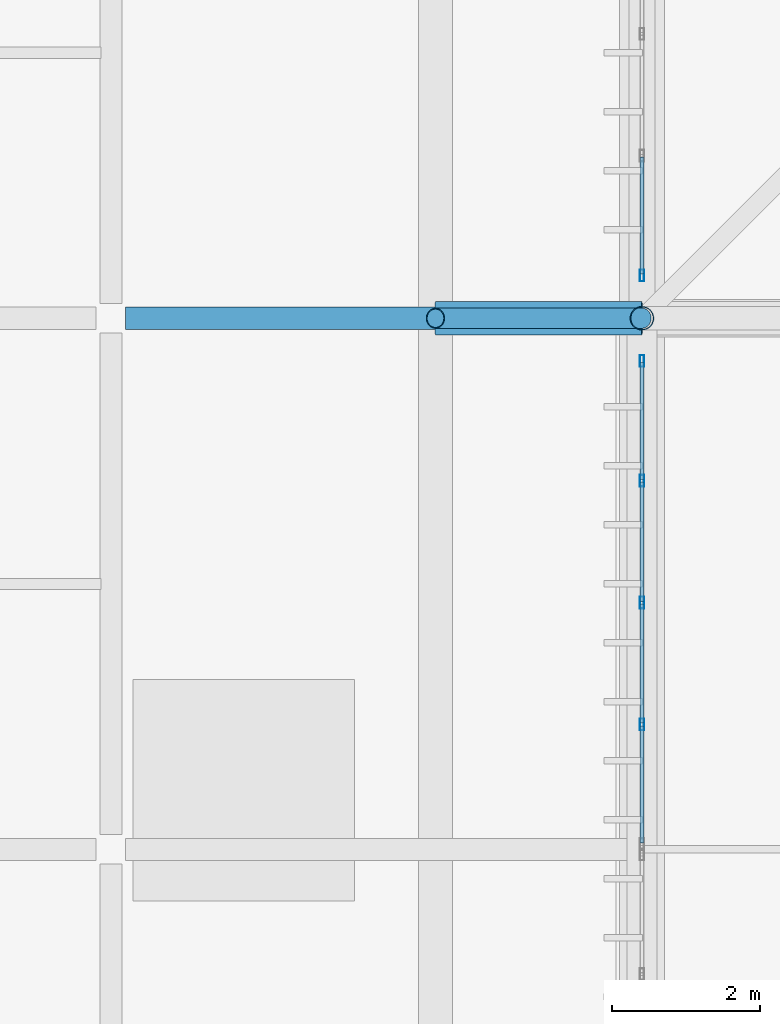
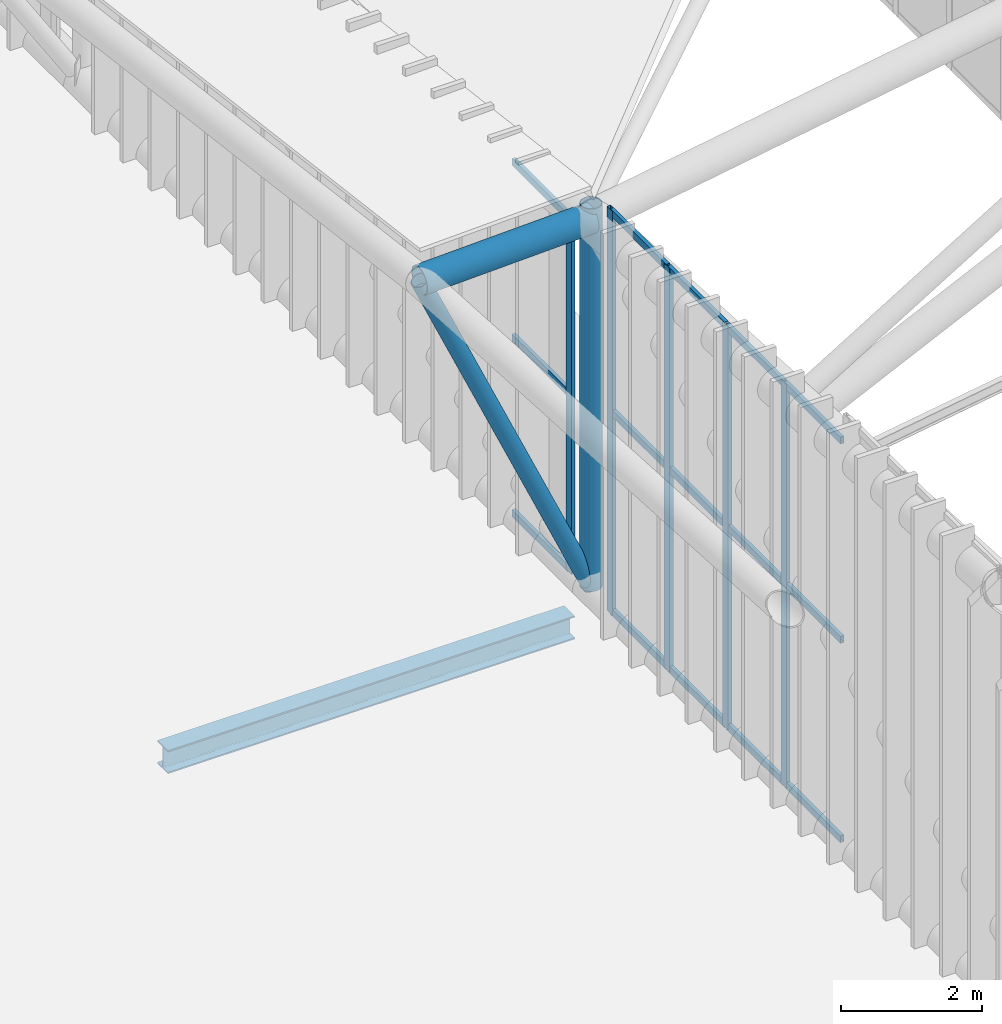
# One storey, part 191 of 397: 22 members, 2 beams, 2 elements without a shape of their own.
"""IFC4 building model written with IfcOpenShell, lengths in metres."""

from ifc_helpers import new_model, si_unit, direction, frame, origin, origin_2d, place, context, subcontext, project, spatial, hollow_rectangle, hollow_circle, i_section, extrude, material, material_profile, profile_set, type_object, element, aggregate, save


model = new_model("IFC4")

# Units and contexts
model_context = context("Model", 3, precision=1e-05, world=origin(), true_north=direction((0.0, 1.0)))
body_context = subcontext(model_context, "Body", "Model", "MODEL_VIEW")
ifc_project = project(units=[si_unit("LENGTHUNIT", "METRE"), si_unit("AREAUNIT", "SQUARE_METRE"), si_unit("VOLUMEUNIT", "CUBIC_METRE"), si_unit("PLANEANGLEUNIT", "RADIAN"), si_unit("MASSUNIT", "GRAM", prefix="KILO")], contexts=[model_context])

# Site, building, storey
site_placement = place(None, origin())
site = spatial("IfcSite", under=ifc_project, at=site_placement, CompositionType="ELEMENT")
building_placement = place(site_placement, origin())
building = spatial("IfcBuilding", under=site, at=building_placement, Name="Qandorah Velis Arena", CompositionType="ELEMENT")
storey_placement = place(building_placement, frame((0.0, 0.0, 27.5)))
storey = spatial("IfcBuildingStorey", under=building, at=storey_placement, Name="RF", CompositionType="ELEMENT", Elevation=27.5)

# Curtain wall, members
ifc_material_1 = material(Name="Solar-control low-E double glazing", Category="glass")
curtain_wall_type = type_object("IfcCurtainWallType", Name="ARC-CW-SYS06", PredefinedType="USERDEFINED", material=ifc_material_1)
curtain_wall_1_placement = place(storey_placement, origin())
curtain_wall_1 = element("IfcCurtainWall", 1, at=curtain_wall_1_placement, inside=storey, type_object=curtain_wall_type, Name="Unitised curtain wall CROWN-1-05S2", ObjectType="UNITISED CURTAIN WALL", PredefinedType="USERDEFINED")
ifc_material_2 = material(Name="Champagne-bronze anodized aluminium 6063-T6", Category="aluminium")
ifc_material_profile_1 = material_profile(ifc_material_2, hollow_rectangle(XDim=0.06005859375, YDim=0.159912109375, WallThickness=0.00341796875, at=origin_2d()), Name="ALU MULLION 60x160")
ifc_profile_set_1 = profile_set([ifc_material_profile_1], Name="Champagne-bronze anodized aluminium 6063-T6")
member_type_1 = type_object("IfcMemberType", Name="ARC-CWM-160", PredefinedType="MULLION", material=ifc_profile_set_1)
member_1_placement = place(storey_placement, frame((14.39990234375, 80.892578125, -0.014892578125), z_axis=(0.0, 0.0, 1.0), x_axis=(-1.0, 0.0, 0.0)))
member_1 = element("IfcMember", 2, at=member_1_placement, type_object=member_type_1, Name="CW06 mullion 2", PredefinedType="MULLION", context=body_context, shape_type="SweptSolid", body=[
    extrude(hollow_rectangle(XDim=0.06005859375, YDim=0.159912109375, WallThickness=0.00341796875, at=origin_2d()), origin(), (0.0, 0.0, 1.0), 6.9765625),
])
member_2_placement = place(storey_placement, frame((14.39990234375, 82.544921875, -0.014892578125), z_axis=(0.0, 0.0, 1.0), x_axis=(-1.0, 0.0, 0.0)))
member_2 = element("IfcMember", 3, at=member_2_placement, type_object=member_type_1, Name="CW06 mullion 3", PredefinedType="MULLION", context=body_context, shape_type="SweptSolid", body=[
    extrude(hollow_rectangle(XDim=0.06005859375, YDim=0.159912109375, WallThickness=0.00341796875, at=origin_2d()), origin(), (0.0, 0.0, 1.0), 6.9765625),
])
member_3_placement = place(storey_placement, frame((14.39990234375, 84.197509765625, -0.014892578125), z_axis=(0.0, 0.0, 1.0), x_axis=(-1.0, 0.0, 0.0)))
member_3 = element("IfcMember", 4, at=member_3_placement, type_object=member_type_1, Name="CW06 mullion 4", PredefinedType="MULLION", context=body_context, shape_type="SweptSolid", body=[
    extrude(hollow_rectangle(XDim=0.06005859375, YDim=0.159912109375, WallThickness=0.00341796875, at=origin_2d()), origin(), (0.0, 0.0, 1.0), 6.9765625),
])
member_4_placement = place(storey_placement, frame((14.39990234375, 85.820068359375, -0.014892578125), z_axis=(0.0, 0.0, 1.0), x_axis=(-1.0, 0.0, 0.0)))
member_4 = element("IfcMember", 5, at=member_4_placement, type_object=member_type_1, Name="CW06 mullion 5", PredefinedType="MULLION", context=body_context, shape_type="SweptSolid", body=[
    extrude(hollow_rectangle(XDim=0.06005859375, YDim=0.159912109375, WallThickness=0.00341796875, at=origin_2d()), origin(), (0.0, 0.0, 1.0), 6.9765625),
])

# Curtain wall, member
curtain_wall_2_placement = place(storey_placement, origin())
curtain_wall_2 = element("IfcCurtainWall", 6, at=curtain_wall_2_placement, inside=storey, type_object=curtain_wall_type, Name="Unitised curtain wall CROWN-1-06S1", ObjectType="UNITISED CURTAIN WALL", PredefinedType="USERDEFINED")
member_5_placement = place(storey_placement, frame((14.39990234375, 86.97998046875, -0.014892578125), z_axis=(0.0, 0.0, 1.0), x_axis=(-1.0, 0.0, 0.0)))
member_5 = element("IfcMember", 7, at=member_5_placement, type_object=member_type_1, Name="CW06 mullion 1", PredefinedType="MULLION", context=body_context, shape_type="SweptSolid", body=[
    extrude(hollow_rectangle(XDim=0.06005859375, YDim=0.159912109375, WallThickness=0.00341796875, at=origin_2d()), origin(), (0.0, 0.0, 1.0), 6.159423828125),
])

# Member
ifc_material_profile_2 = material_profile(ifc_material_2, hollow_rectangle(XDim=0.06005859375, YDim=0.1201171875, WallThickness=0.0029296875, at=origin_2d()), Name="ALU TRANSOM 60x120")
ifc_profile_set_2 = profile_set([ifc_material_profile_2], Name="Champagne-bronze anodized aluminium 6063-T6")
member_type_2 = type_object("IfcMemberType", Name="ARC-CWT-120", PredefinedType="USERDEFINED", material=ifc_profile_set_2)
member_6_placement = place(storey_placement, frame((14.39990234375, 79.2880859375, 0.030029296875), z_axis=(0.0, 1.0, 0.0), x_axis=(-1.0, 0.0, 0.0)))
member_6 = element("IfcMember", 8, at=member_6_placement, type_object=member_type_2, Name="CW06 transom 1.1", ObjectType="TRANSOM", PredefinedType="USERDEFINED", context=body_context, shape_type="SweptSolid", body=[
    extrude(hollow_rectangle(XDim=0.06005859375, YDim=0.1201171875, WallThickness=0.0029296875, at=origin_2d()), origin(), (0.0, 0.0, 1.0), 1.58642578125),
])

member_7_placement = place(storey_placement, frame((14.39990234375, 79.2880859375, 3.473388671875), z_axis=(0.0, 1.0, 0.0), x_axis=(-1.0, 0.0, 0.0)))
member_7 = element("IfcMember", 9, at=member_7_placement, type_object=member_type_2, Name="CW06 transom 1.2", ObjectType="TRANSOM", PredefinedType="USERDEFINED", context=body_context, shape_type="SweptSolid", body=[
    extrude(hollow_rectangle(XDim=0.06005859375, YDim=0.1201171875, WallThickness=0.0029296875, at=origin_2d()), origin(), (0.0, 0.0, 1.0), 1.58642578125),
])

member_8_placement = place(storey_placement, frame((14.39990234375, 79.2880859375, 6.916748046875), z_axis=(0.0, 1.0, 0.0), x_axis=(-1.0, 0.0, 0.0)))
member_8 = element("IfcMember", 10, at=member_8_placement, type_object=member_type_2, Name="CW06 transom 1.3", ObjectType="TRANSOM", PredefinedType="USERDEFINED", context=body_context, shape_type="SweptSolid", body=[
    extrude(hollow_rectangle(XDim=0.06005859375, YDim=0.1201171875, WallThickness=0.0029296875, at=origin_2d()), origin(), (0.0, 0.0, 1.0), 1.58642578125),
])

member_9_placement = place(storey_placement, frame((14.39990234375, 80.910400390625, 0.030029296875), z_axis=(0.0, 1.0, 0.0), x_axis=(-1.0, 0.0, 0.0)))
member_9 = element("IfcMember", 11, at=member_9_placement, type_object=member_type_2, Name="CW06 transom 2.1", ObjectType="TRANSOM", PredefinedType="USERDEFINED", context=body_context, shape_type="SweptSolid", body=[
    extrude(hollow_rectangle(XDim=0.06005859375, YDim=0.1201171875, WallThickness=0.0029296875, at=origin_2d()), origin(), (0.0, 0.0, 1.0), 1.61669921875),
])

member_10_placement = place(storey_placement, frame((14.39990234375, 80.910400390625, 3.473388671875), z_axis=(0.0, 1.0, 0.0), x_axis=(-1.0, 0.0, 0.0)))
member_10 = element("IfcMember", 12, at=member_10_placement, type_object=member_type_2, Name="CW06 transom 2.2", ObjectType="TRANSOM", PredefinedType="USERDEFINED", context=body_context, shape_type="SweptSolid", body=[
    extrude(hollow_rectangle(XDim=0.06005859375, YDim=0.1201171875, WallThickness=0.0029296875, at=origin_2d()), origin(), (0.0, 0.0, 1.0), 1.61669921875),
])

member_11_placement = place(storey_placement, frame((14.39990234375, 80.910400390625, 6.916748046875), z_axis=(0.0, 1.0, 0.0), x_axis=(-1.0, 0.0, 0.0)))
member_11 = element("IfcMember", 13, at=member_11_placement, type_object=member_type_2, Name="CW06 transom 2.3", ObjectType="TRANSOM", PredefinedType="USERDEFINED", context=body_context, shape_type="SweptSolid", body=[
    extrude(hollow_rectangle(XDim=0.06005859375, YDim=0.1201171875, WallThickness=0.0029296875, at=origin_2d()), origin(), (0.0, 0.0, 1.0), 1.61669921875),
])

member_12_placement = place(storey_placement, frame((14.39990234375, 82.56298828125, 0.030029296875), z_axis=(0.0, 1.0, 0.0), x_axis=(-1.0, 0.0, 0.0)))
member_12 = element("IfcMember", 14, at=member_12_placement, type_object=member_type_2, Name="CW06 transom 3.1", ObjectType="TRANSOM", PredefinedType="USERDEFINED", context=body_context, shape_type="SweptSolid", body=[
    extrude(hollow_rectangle(XDim=0.06005859375, YDim=0.1201171875, WallThickness=0.0029296875, at=origin_2d()), origin(), (0.0, 0.0, 1.0), 1.616455078125),
])

member_13_placement = place(storey_placement, frame((14.39990234375, 82.56298828125, 3.473388671875), z_axis=(0.0, 1.0, 0.0), x_axis=(-1.0, 0.0, 0.0)))
member_13 = element("IfcMember", 15, at=member_13_placement, type_object=member_type_2, Name="CW06 transom 3.2", ObjectType="TRANSOM", PredefinedType="USERDEFINED", context=body_context, shape_type="SweptSolid", body=[
    extrude(hollow_rectangle(XDim=0.06005859375, YDim=0.1201171875, WallThickness=0.0029296875, at=origin_2d()), origin(), (0.0, 0.0, 1.0), 1.616455078125),
])

member_14_placement = place(storey_placement, frame((14.39990234375, 82.56298828125, 6.916748046875), z_axis=(0.0, 1.0, 0.0), x_axis=(-1.0, 0.0, 0.0)))
member_14 = element("IfcMember", 16, at=member_14_placement, type_object=member_type_2, Name="CW06 transom 3.3", ObjectType="TRANSOM", PredefinedType="USERDEFINED", context=body_context, shape_type="SweptSolid", body=[
    extrude(hollow_rectangle(XDim=0.06005859375, YDim=0.1201171875, WallThickness=0.0029296875, at=origin_2d()), origin(), (0.0, 0.0, 1.0), 1.616455078125),
])

member_15_placement = place(storey_placement, frame((14.39990234375, 84.215576171875, 0.030029296875), z_axis=(0.0, 1.0, 0.0), x_axis=(-1.0, 0.0, 0.0)))
member_15 = element("IfcMember", 17, at=member_15_placement, type_object=member_type_2, Name="CW06 transom 4.1", ObjectType="TRANSOM", PredefinedType="USERDEFINED", context=body_context, shape_type="SweptSolid", body=[
    extrude(hollow_rectangle(XDim=0.06005859375, YDim=0.1201171875, WallThickness=0.0029296875, at=origin_2d()), origin(), (0.0, 0.0, 1.0), 1.58642578125),
])

member_16_placement = place(storey_placement, frame((14.39990234375, 84.215576171875, 3.473388671875), z_axis=(0.0, 1.0, 0.0), x_axis=(-1.0, 0.0, 0.0)))
member_16 = element("IfcMember", 18, at=member_16_placement, type_object=member_type_2, Name="CW06 transom 4.2", ObjectType="TRANSOM", PredefinedType="USERDEFINED", context=body_context, shape_type="SweptSolid", body=[
    extrude(hollow_rectangle(XDim=0.06005859375, YDim=0.1201171875, WallThickness=0.0029296875, at=origin_2d()), origin(), (0.0, 0.0, 1.0), 1.58642578125),
])

member_17_placement = place(storey_placement, frame((14.39990234375, 84.215576171875, 6.916748046875), z_axis=(0.0, 1.0, 0.0), x_axis=(-1.0, 0.0, 0.0)))
member_17 = element("IfcMember", 19, at=member_17_placement, type_object=member_type_2, Name="CW06 transom 4.3", ObjectType="TRANSOM", PredefinedType="USERDEFINED", context=body_context, shape_type="SweptSolid", body=[
    extrude(hollow_rectangle(XDim=0.06005859375, YDim=0.1201171875, WallThickness=0.0029296875, at=origin_2d()), origin(), (0.0, 0.0, 1.0), 1.58642578125),
])

aggregate(curtain_wall_1, [member_1, member_2, member_3, member_4, member_6, member_7, member_8, member_9, member_10, member_11, member_12, member_13, member_14, member_15, member_16, member_17])

member_18_placement = place(storey_placement, frame((14.39990234375, 86.998046875, 0.030029296875), z_axis=(0.0, 1.0, 0.0), x_axis=(-1.0, 0.0, 0.0)))
member_18 = element("IfcMember", 20, at=member_18_placement, type_object=member_type_2, Name="CW06 transom 1.1", ObjectType="TRANSOM", PredefinedType="USERDEFINED", context=body_context, shape_type="SweptSolid", body=[
    extrude(hollow_rectangle(XDim=0.06005859375, YDim=0.1201171875, WallThickness=0.0029296875, at=origin_2d()), origin(), (0.0, 0.0, 1.0), 1.58642578125),
])

member_19_placement = place(storey_placement, frame((14.39990234375, 86.998046875, 3.064697265625), z_axis=(0.0, 1.0, 0.0), x_axis=(-1.0, 0.0, 0.0)))
member_19 = element("IfcMember", 21, at=member_19_placement, type_object=member_type_2, Name="CW06 transom 1.2", ObjectType="TRANSOM", PredefinedType="USERDEFINED", context=body_context, shape_type="SweptSolid", body=[
    extrude(hollow_rectangle(XDim=0.06005859375, YDim=0.1201171875, WallThickness=0.0029296875, at=origin_2d()), origin(), (0.0, 0.0, 1.0), 1.58642578125),
])

member_20_placement = place(storey_placement, frame((14.39990234375, 86.998046875, 6.099609375), z_axis=(0.0, 1.0, 0.0), x_axis=(-1.0, 0.0, 0.0)))
member_20 = element("IfcMember", 22, at=member_20_placement, type_object=member_type_2, Name="CW06 transom 1.3", ObjectType="TRANSOM", PredefinedType="USERDEFINED", context=body_context, shape_type="SweptSolid", body=[
    extrude(hollow_rectangle(XDim=0.06005859375, YDim=0.1201171875, WallThickness=0.0029296875, at=origin_2d()), origin(), (0.0, 0.0, 1.0), 1.58642578125),
])

aggregate(curtain_wall_2, [member_5, member_18, member_19, member_20])

# Beams
ifc_material_3 = material(Name="Steel S355", Category="steel")
ifc_material_profile_3 = material_profile(ifc_material_3, i_section(OverallWidth=0.300048828125, OverallDepth=0.39990234375, WebThickness=0.013427734375, FlangeThickness=0.02392578125, FilletRadius=0.027099609375, at=origin_2d()), Name="HEB 400")
ifc_profile_set_3 = profile_set([ifc_material_profile_3], Name="Steel S355")
beam_type_1 = type_object("IfcBeamType", Name="STR-BM-HEB400", PredefinedType="BEAM", material=ifc_profile_set_3)
beam_1_placement = place(storey_placement, frame((7.39990234375, 86.39990234375, -0.419921875), z_axis=(1.0, 0.0, 0.0), x_axis=(0.0, 1.0, 0.0)))
element("IfcBeam", 23, at=beam_1_placement, inside=storey, type_object=beam_type_1, Name="Primary floor girder RF X-038", PredefinedType="BEAM", context=body_context, shape_type="SweptSolid", body=[
    extrude(i_section(OverallWidth=0.300048828125, OverallDepth=0.39990234375, WebThickness=0.013427734375, FlangeThickness=0.02392578125, FilletRadius=0.027099609375, at=origin_2d()), origin(), (0.0, 0.0, 1.0), 6.650146484375),
])
ifc_material_profile_4 = material_profile(ifc_material_3, hollow_circle(Radius=0.228515625, WallThickness=0.01611328125, at=origin_2d()), Name="CHS 457x16")
ifc_profile_set_4 = profile_set([ifc_material_profile_4], Name="Steel S355")
beam_type_2 = type_object("IfcBeamType", Name="STR-SFC-CHS457X16", PredefinedType="USERDEFINED", material=ifc_profile_set_4)
beam_2_placement = place(storey_placement, frame((14.39990234375, 86.39990234375, 6.448486328125), z_axis=(-0.999361521522, 0.0, -0.035728830121), x_axis=(0.0, -1.0, 0.0)))
element("IfcBeam", 24, at=beam_2_placement, inside=storey, type_object=beam_type_2, Name="Space frame eave outrigger W-5", ObjectType="ROOF TRUSS", PredefinedType="USERDEFINED", context=body_context, shape_type="SweptSolid", body=[
    extrude(hollow_circle(Radius=0.228515625, WallThickness=0.01611328125, at=origin_2d()), origin(), (0.0, 0.0, 1.0), 2.801513671875),
])

# Members
ifc_material_profile_5 = material_profile(ifc_material_3, hollow_circle(Radius=0.136474609375, WallThickness=0.012451171875, at=origin_2d()), Name="CHS 273x12.5")
ifc_profile_set_5 = profile_set([ifc_material_profile_5], Name="Steel S355")
member_type_3 = type_object("IfcMemberType", Name="STR-SFD-CHS273X12", PredefinedType="STRUT", material=ifc_profile_set_5)
member_21_placement = place(storey_placement, frame((14.39990234375, 86.39990234375, 0.10009765625), z_axis=(-0.408915636228, 0.0, 0.912572190267), x_axis=(0.0, -1.0, 0.0)))
element("IfcMember", 25, at=member_21_placement, inside=storey, type_object=member_type_3, Name="Space frame eave raking strut W-5", PredefinedType="STRUT", context=body_context, shape_type="SweptSolid", body=[
    extrude(hollow_circle(Radius=0.136474609375, WallThickness=0.012451171875, at=origin_2d()), origin(), (0.0, 0.0, 1.0), 6.846923828125),
])
ifc_material_profile_6 = material_profile(ifc_material_3, hollow_circle(Radius=0.161865234375, WallThickness=0.012451171875, at=origin_2d()), Name="CHS 323.9x12.5")
ifc_profile_set_6 = profile_set([ifc_material_profile_6], Name="Steel S355")
member_type_4 = type_object("IfcMemberType", Name="STR-SFD-CHS323X12", PredefinedType="CHORD", material=ifc_profile_set_6)
member_22_placement = place(storey_placement, frame((14.39990234375, 86.39990234375, 0.10009765625), z_axis=(0.0, 0.0, 1.0), x_axis=(1.0, 0.0, 0.0)))
element("IfcMember", 26, at=member_22_placement, inside=storey, type_object=member_type_4, Name="Space frame roof vertical post 0.5", PredefinedType="CHORD", context=body_context, shape_type="SweptSolid", body=[
    extrude(hollow_circle(Radius=0.161865234375, WallThickness=0.012451171875, at=origin_2d()), origin(), (0.0, 0.0, 1.0), 6.6083984375),
])

save(model, "model.ifc")
